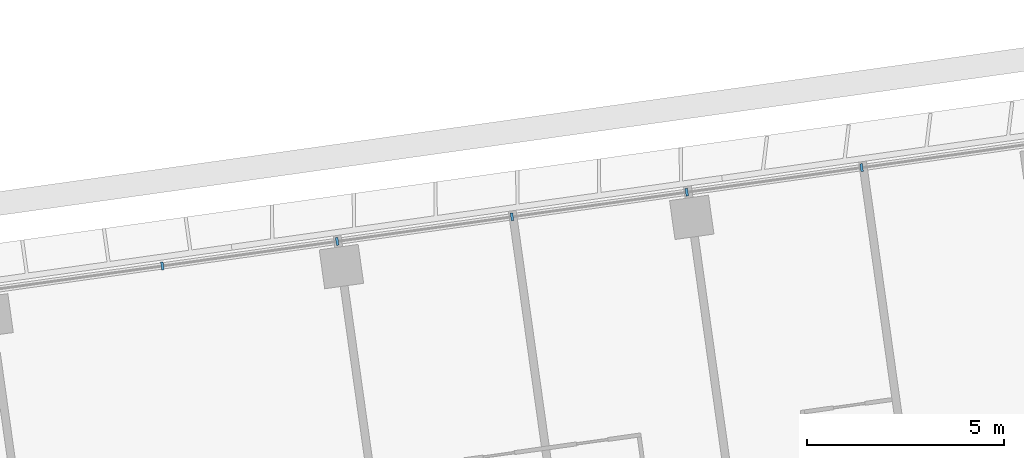
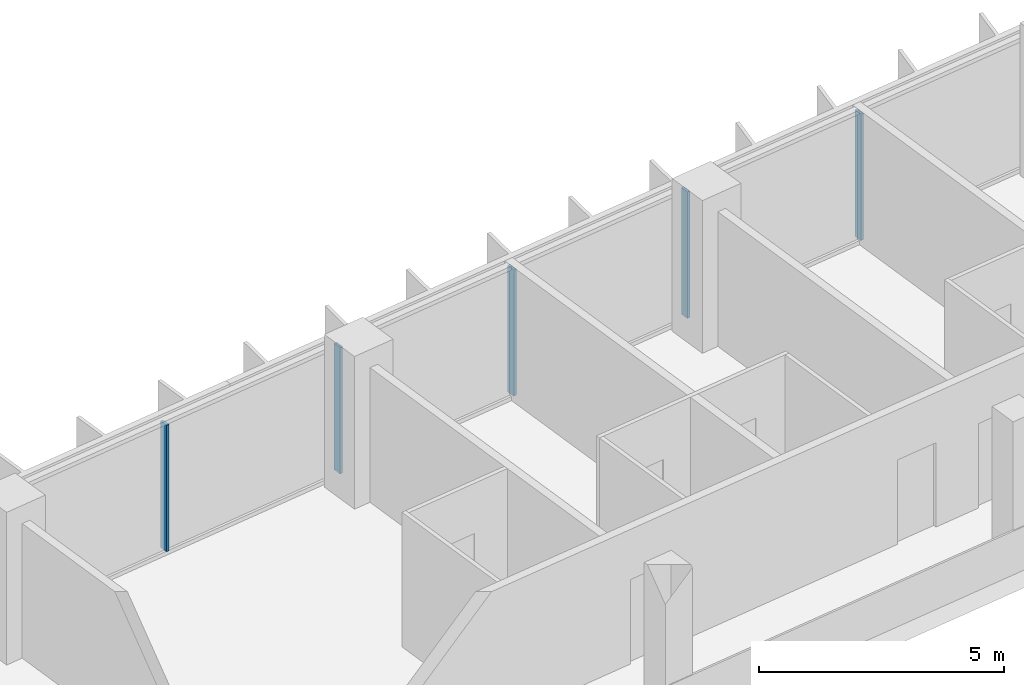
# One storey, part 19 of 46: 5 members, 1 element without a shape of its own.
"""IFC4 building model written with IfcOpenShell, lengths in metres."""

import ifcopenshell
import ifcopenshell.guid

model = None  # the IFC model being written
_history = None  # IfcOwnerHistory: only IFC2X3 demands one
_inside = {}  # id of a spatial element -> (the spatial element, [elements in it])
_under = {}  # id of a project, library or spatial element -> (it, [spatial elements below it])
_declared = {}  # id of a project -> (the project, [libraries it declares])
_typed = {}  # id of a type object -> (the type object, [elements of that type])
_made_of = {}  # id of a material, layer set ... -> (it, [elements and type objects made of it])


def new_model(schema):
    """Start an empty IFC model of exactly this schema.

    Asked for "IFC4X3", IfcOpenShell would pick the latest addendum, in which some entities
    have other attributes; the version numbers below select the first issue.
    IFC2X3 requires an IfcOwnerHistory on every rooted entity: one is made here for all.
    """
    global model, _history
    if schema == "IFC4X3":
        model = ifcopenshell.file(schema_version=(4, 3, 0, 0))
    else:
        model = ifcopenshell.file(schema=schema)
    _inside.clear()
    _under.clear()
    _declared.clear()
    _typed.clear()
    _made_of.clear()
    _history = None
    if model.schema == "IFC2X3":
        org = make("IfcOrganization", Name="unknown")
        user = make(
            "IfcPersonAndOrganization",
            ThePerson=make("IfcPerson", FamilyName="unknown"),
            TheOrganization=org,
        )
        app = make(
            "IfcApplication",
            ApplicationDeveloper=org,
            Version="unknown",
            ApplicationFullName="unknown",
            ApplicationIdentifier="unknown",
        )
        _history = make(
            "IfcOwnerHistory",
            OwningUser=user,
            OwningApplication=app,
            ChangeAction="ADDED",
            CreationDate=0,
        )
    return model


def make(cls, **values):
    """One entity of the class cls with the attributes given. An attribute that is None is left unset."""
    return model.create_entity(
        cls, **{name: value for name, value in values.items() if value is not None}
    )


def rooted(cls, **values):
    """An entity with a GlobalId (a new one), such as an element, a storey or a relation."""
    return make(cls, GlobalId=ifcopenshell.guid.new(), OwnerHistory=_history, **values)


def si_unit(unit_type, name, prefix=None):
    """IfcSIUnit, for example si_unit("LENGTHUNIT", "METRE", prefix="MILLI")."""
    return make("IfcSIUnit", UnitType=unit_type, Prefix=prefix, Name=name)


def assignment(units):
    """IfcUnitAssignment: the units of a project."""
    return None if units is None else make("IfcUnitAssignment", Units=units)


def point(xyz):
    """IfcCartesianPoint."""
    return None if xyz is None else make("IfcCartesianPoint", Coordinates=xyz)


def direction(xyz):
    """IfcDirection."""
    return None if xyz is None else make("IfcDirection", DirectionRatios=xyz)


def frame(location, z_axis=None, x_axis=None):
    """IfcAxis2Placement3D, a coordinate frame: its origin and axes. An axis left out is left unset."""
    return make(
        "IfcAxis2Placement3D",
        Location=point(location),
        Axis=direction(z_axis),
        RefDirection=direction(x_axis),
    )


def frame_2d(location, x_axis=None):
    """IfcAxis2Placement2D, a coordinate frame in the plane: its origin and x axis."""
    return make(
        "IfcAxis2Placement2D", Location=point(location), RefDirection=direction(x_axis)
    )


def origin():
    """The frame at (0, 0, 0) with its axes left unset."""
    return frame((0.0, 0.0, 0.0))


def origin_2d():
    """The frame at (0, 0) in the plane with its x axis left unset."""
    return frame_2d((0.0, 0.0))


def place(relative_to, where):
    """IfcLocalPlacement: puts the frame where relative to a parent placement (None: the world)."""
    return make(
        "IfcLocalPlacement", PlacementRelTo=relative_to, RelativePlacement=where
    )


def context(
    kind, dimensions, precision=None, world=None, true_north=None, identifier=None
):
    """IfcGeometricRepresentationContext, for example the 3D "Model" context."""
    return make(
        "IfcGeometricRepresentationContext",
        ContextIdentifier=identifier,
        ContextType=kind,
        CoordinateSpaceDimension=dimensions,
        Precision=precision,
        WorldCoordinateSystem=world,
        TrueNorth=true_north,
    )


def subcontext(parent, identifier, kind, view, scale=None):
    """IfcGeometricRepresentationSubContext, for example "Body" below "Model"."""
    return make(
        "IfcGeometricRepresentationSubContext",
        ContextIdentifier=identifier,
        ContextType=kind,
        ParentContext=parent,
        TargetScale=scale,
        TargetView=view,
    )


def project(units=None, contexts=None):
    """IfcProject with its units and contexts."""
    return rooted(
        "IfcProject",
        Name="project",
        RepresentationContexts=contexts,
        UnitsInContext=assignment(units),
    )


def spatial(cls, under=None, at=None, **own):
    """A site, building, storey or space (cls), placed at a placement, below another one or the project."""
    s = rooted(cls, ObjectPlacement=at, **own)
    if under is not None:
        _under.setdefault(under.id(), (under, []))[1].append(s)
    return s


def profile(cls, at=None, kind="AREA", **sizes):
    """A parametric profile (cls). Its sizes go by their IFC names, for example OverallWidth=200.0."""
    return make(cls, ProfileType=kind, Position=at, **sizes)


def rectangle(**sizes):
    """IfcRectangleProfileDef."""
    return profile("IfcRectangleProfileDef", **sizes)


def extrude(swept, where, along, depth):
    """IfcExtrudedAreaSolid: the profile swept, set in the frame where, extruded along a direction by depth."""
    return make(
        "IfcExtrudedAreaSolid",
        SweptArea=swept,
        Position=where,
        ExtrudedDirection=direction(along),
        Depth=depth,
    )


def shape(context_of_items, identifier, shape_type, items):
    """IfcShapeRepresentation: the items that make up one representation, for example the "Body"."""
    return make(
        "IfcShapeRepresentation",
        ContextOfItems=context_of_items,
        RepresentationIdentifier=identifier,
        RepresentationType=shape_type,
        Items=items,
    )


def material(Name=None, Category=None):
    """IfcMaterial."""
    return make("IfcMaterial", Name=Name, Category=Category)


def material_profile(
    of_material, cross_section, Name=None, Category=None, Priority=None
):
    """IfcMaterialProfile: a cross section and its material."""
    return make(
        "IfcMaterialProfile",
        Name=Name,
        Material=of_material,
        Profile=cross_section,
        Priority=Priority,
        Category=Category,
    )


def profile_set(profiles, Name=None, composite=None):
    """IfcMaterialProfileSet."""
    return make(
        "IfcMaterialProfileSet",
        Name=Name,
        MaterialProfiles=profiles,
        CompositeProfile=composite,
    )


def made_of(thing, what):
    """Note that an element or type object is made of a material, layer set ...; save() writes the relation."""
    if what is not None:
        _made_of.setdefault(what.id(), (what, []))[1].append(thing)
    return thing


def type_object(cls, material=None, **own):
    """A type object (cls), such as IfcWallType, which elements share."""
    return made_of(rooted(cls, **own), material)


def element(
    cls,
    number,
    at=None,
    inside=None,
    cuts=None,
    type_object=None,
    material=None,
    context=None,
    identifier="Body",
    shape_type=None,
    held_by="IfcProductDefinitionShape",
    body=None,
    shapes=None,
    **own,
):
    """One element of the class cls, such as IfcWall. Its Tag is "e" and its number.

    at: its placement. inside: the storey or other place that contains it. cuts: it is an
    opening in that element (IfcRelVoidsElement). A single representation is given by context,
    identifier, shape_type and body (its items); several are given by shapes. held_by: the class
    of the entity that holds the representations. save() writes the other relations.
    """
    e = rooted(cls, Tag="e%d" % number, ObjectPlacement=at, **own)
    if body is not None:
        shapes = [shape(context, identifier, shape_type, body)]
    if shapes is not None:
        e.Representation = make(held_by, Representations=shapes)
    if inside is not None:
        _inside.setdefault(inside.id(), (inside, []))[1].append(e)
    if cuts is not None:
        rooted(
            "IfcRelVoidsElement", RelatingBuildingElement=cuts, RelatedOpeningElement=e
        )
    if type_object is not None:
        _typed.setdefault(type_object.id(), (type_object, []))[1].append(e)
    return made_of(e, material)


def aggregate(whole, parts):
    """IfcRelAggregates: a whole, such as a stair, and the parts it consists of."""
    return rooted("IfcRelAggregates", RelatingObject=whole, RelatedObjects=parts)


def save(model, path):
    """Write the relations noted so far, then the file.

    IfcRelAggregates (storeys below a building ...), IfcRelContainedInSpatialStructure (elements
    in a storey), IfcRelDefinesByType, IfcRelAssociatesMaterial and IfcRelDeclares: one each for
    every whole, place, type object, material and project.
    """
    for whole, parts in _under.values():
        aggregate(whole, parts)
    for where, things in _inside.values():
        rooted(
            "IfcRelContainedInSpatialStructure",
            RelatedElements=things,
            RelatingStructure=where,
        )
    for kind, things in _typed.values():
        rooted("IfcRelDefinesByType", RelatedObjects=things, RelatingType=kind)
    for what, things in _made_of.values():
        rooted("IfcRelAssociatesMaterial", RelatedObjects=things, RelatingMaterial=what)
    for by, libraries in _declared.values():
        rooted("IfcRelDeclares", RelatingContext=by, RelatedDefinitions=libraries)
    model.write(path)


model = new_model("IFC4")

# Units and contexts
model_context = context("Model", 3, precision=1e-05, world=origin(), true_north=direction((0.0, 1.0)))
body_context = subcontext(model_context, "Body", "Model", "MODEL_VIEW")
ifc_project = project(units=[si_unit("LENGTHUNIT", "METRE"), si_unit("AREAUNIT", "SQUARE_METRE"), si_unit("VOLUMEUNIT", "CUBIC_METRE"), si_unit("PLANEANGLEUNIT", "RADIAN"), si_unit("MASSUNIT", "GRAM", prefix="KILO")], contexts=[model_context])

# Site, building, storey
site_placement = place(None, origin())
site = spatial("IfcSite", under=ifc_project, at=site_placement, CompositionType="ELEMENT")
building_placement = place(site_placement, origin())
building = spatial("IfcBuilding", under=site, at=building_placement, Name="Mirante Cascada Hotel Towers", CompositionType="ELEMENT")
storey_placement = place(building_placement, frame((0.0, 0.0, 39.5)))
storey = spatial("IfcBuildingStorey", under=building, at=storey_placement, Name="L06", CompositionType="ELEMENT", Elevation=39.5)

# Curtain wall, members
ifc_material_1 = material(Name="Aluminium mullion and transom frame with clear laminated glass", Category="aluminium")
curtain_wall_type = type_object("IfcCurtainWallType", Name="Ribbon curtain wall ECW1", PredefinedType="NOTDEFINED", material=ifc_material_1)
curtain_wall_placement = place(storey_placement, origin())
curtain_wall = element("IfcCurtainWall", 1, at=curtain_wall_placement, inside=storey, type_object=curtain_wall_type, Name="Front ribbon wall T2 L06", PredefinedType="NOTDEFINED")
ifc_material_2 = material(Name="Anodised aluminium extrusion", Category="aluminium")
ifc_material_profile = material_profile(ifc_material_2, rectangle(XDim=0.2, YDim=0.065, at=origin_2d()), Name="ECW1 MULLION 65x200")
ifc_profile_set = profile_set([ifc_material_profile], Name="Anodised aluminium extrusion")
member_type = type_object("IfcMemberType", Name="ECW1 mullion 65x200", PredefinedType="MULLION", material=ifc_profile_set)
member_1_placement = place(storey_placement, frame((85.2633, 24.802, 0.1), z_axis=(0.0, 0.0, 1.0), x_axis=(0.1391731, -0.9902681, 0.0)))
member_1 = element("IfcMember", 2, at=member_1_placement, type_object=member_type, Name="ECW1 mullion 3", PredefinedType="MULLION", context=body_context, shape_type="SweptSolid", body=[
    extrude(rectangle(XDim=0.2, YDim=0.065, at=origin_2d()), origin(), (0.0, 0.0, 1.0), 3.15),
])
member_2_placement = place(storey_placement, frame((80.8159, 24.177, 0.1), z_axis=(0.0, 0.0, 1.0), x_axis=(0.1391731, -0.9902681, 0.0)))
member_2 = element("IfcMember", 3, at=member_2_placement, type_object=member_type, Name="ECW1 mullion 4", PredefinedType="MULLION", context=body_context, shape_type="SweptSolid", body=[
    extrude(rectangle(XDim=0.2, YDim=0.065, at=origin_2d()), origin(), (0.0, 0.0, 1.0), 3.15),
])
member_3_placement = place(storey_placement, frame((76.3685, 23.5519, 0.1), z_axis=(0.0, 0.0, 1.0), x_axis=(0.1391731, -0.9902681, 0.0)))
member_3 = element("IfcMember", 4, at=member_3_placement, type_object=member_type, Name="ECW1 mullion 5", PredefinedType="MULLION", context=body_context, shape_type="SweptSolid", body=[
    extrude(rectangle(XDim=0.2, YDim=0.065, at=origin_2d()), origin(), (0.0, 0.0, 1.0), 3.15),
])
member_4_placement = place(storey_placement, frame((71.9211, 22.9269, 0.1), z_axis=(0.0, 0.0, 1.0), x_axis=(0.1391731, -0.9902681, 0.0)))
member_4 = element("IfcMember", 5, at=member_4_placement, type_object=member_type, Name="ECW1 mullion 6", PredefinedType="MULLION", context=body_context, shape_type="SweptSolid", body=[
    extrude(rectangle(XDim=0.2, YDim=0.065, at=origin_2d()), origin(), (0.0, 0.0, 1.0), 3.15),
])
member_5_placement = place(storey_placement, frame((67.4737, 22.3018, 0.1), z_axis=(0.0, 0.0, 1.0), x_axis=(0.1391731, -0.9902681, 0.0)))
member_5 = element("IfcMember", 6, at=member_5_placement, type_object=member_type, Name="ECW1 mullion 7", PredefinedType="MULLION", context=body_context, shape_type="SweptSolid", body=[
    extrude(rectangle(XDim=0.2, YDim=0.065, at=origin_2d()), origin(), (0.0, 0.0, 1.0), 3.15),
])
aggregate(curtain_wall, [member_1, member_2, member_3, member_4, member_5])

save(model, "model.ifc")
